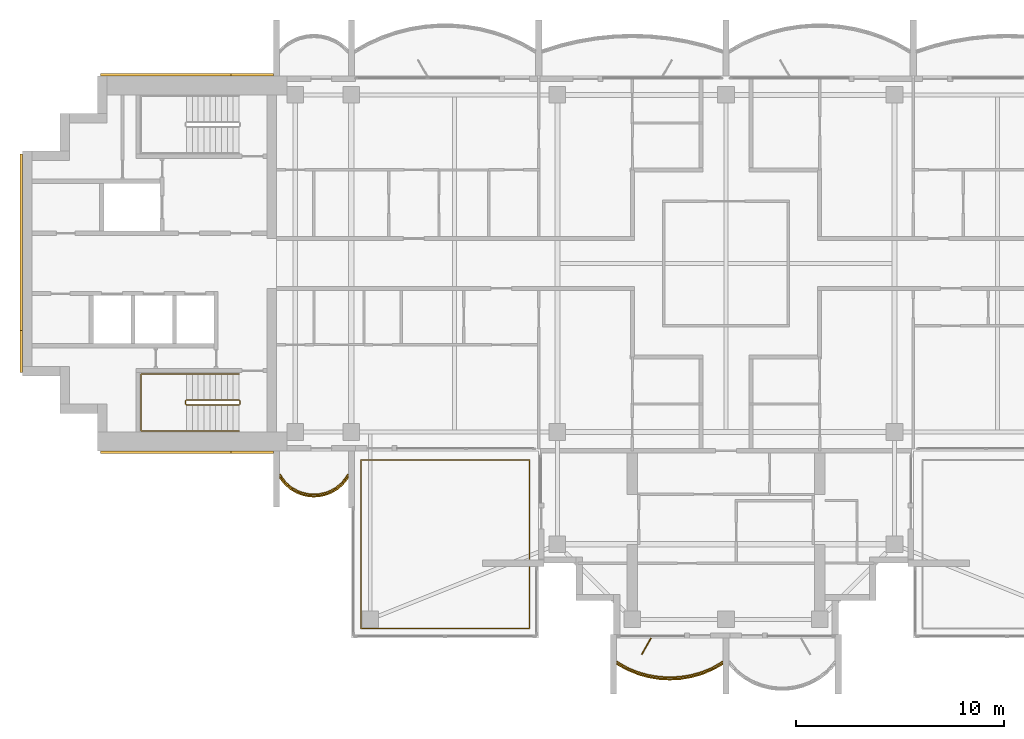
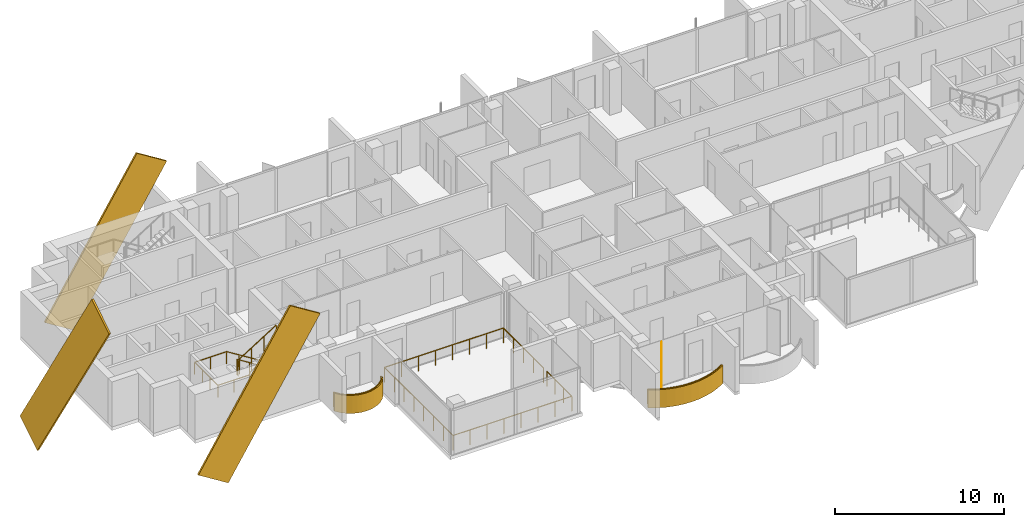
# One storey, part 13 of 16: 5 coverings, 5 railings, 1 shading device.
"""IFC4 building model written with IfcOpenShell, lengths in metres."""

from ifc_helpers import new_model, si_unit, direction, frame, origin, origin_2d, place, context, subcontext, project, spatial, polyline, rectangle, outline, extrude, material, layer, layer_set, material_profile, profile_set, type_object, element, save


model = new_model("IFC4")

# Units and contexts
model_context = context("Model", 3, precision=1e-05, world=origin(), true_north=direction((0.0, 1.0)))
body_context = subcontext(model_context, "Body", "Model", "MODEL_VIEW")
ifc_project = project(units=[si_unit("LENGTHUNIT", "METRE"), si_unit("AREAUNIT", "SQUARE_METRE"), si_unit("VOLUMEUNIT", "CUBIC_METRE"), si_unit("PLANEANGLEUNIT", "RADIAN"), si_unit("MASSUNIT", "GRAM", prefix="KILO")], contexts=[model_context])

# Site, building, storey
site_placement = place(None, origin())
site = spatial("IfcSite", under=ifc_project, at=site_placement, CompositionType="ELEMENT")
building_placement = place(site_placement, origin())
building = spatial("IfcBuilding", under=site, at=building_placement, Name="Perihelion Cross Residences", CompositionType="ELEMENT")
storey_placement = place(building_placement, frame((0.0, 0.0, 239.5)))
storey = spatial("IfcBuildingStorey", under=building, at=storey_placement, Name="L60", CompositionType="ELEMENT", Elevation=239.5)

# Coverings
ifc_material_1 = material(Name="Bronze anodised aluminium", Category="aluminium")
ifc_layer_1 = layer(ifc_material_1, 0.070068359375)
ifc_layer_set_1 = layer_set([ifc_layer_1], Name="Balcony fascia 1300")
covering_type_1 = type_object("IfcCoveringType", Name="Balcony fascia 1300", PredefinedType="CLADDING", material=ifc_layer_set_1)
covering_1_placement = place(storey_placement, frame((0.0, 0.0, -0.199951171875)))
element("IfcCovering", 1, at=covering_1_placement, inside=storey, type_object=covering_type_1, Name="Fascia BF1 L60 west side south bay 1", PredefinedType="CLADDING", context=body_context, shape_type="SweptSolid", body=[
    extrude(outline(polyline([(-21.226318359375, -10.616455078125), (-20.94091796875, -10.86328125), (-20.655517578125, -11.031494140625), (-20.370361328125, -11.142578125), (-20.085205078125, -11.206298828125), (-19.800048828125, -11.22705078125), (-19.514892578125, -11.206298828125), (-19.229736328125, -11.142578125), (-18.9443359375, -11.031494140625), (-18.6591796875, -10.86328125), (-18.373779296875, -10.616455078125), (-18.14990234375, -10.31689453125), (-18.14990234375, -10.199951171875), (-18.425048828125, -10.568603515625), (-18.699951171875, -10.806396484375), (-18.97509765625, -10.96875), (-19.25, -11.07568359375), (-19.52490234375, -11.136962890625), (-19.800048828125, -11.156982421875), (-20.074951171875, -11.136962890625), (-20.35009765625, -11.07568359375), (-20.625, -10.96875), (-20.89990234375, -10.806396484375), (-21.175048828125, -10.568603515625), (-21.449951171875, -10.199951171875), (-21.449951171875, -10.31689453125), (-21.226318359375, -10.616455078125)])), origin(), (0.0, 0.0, 1.0), 1.300048828125),
])
covering_2_placement = place(storey_placement, frame((0.0, 0.0, -0.199951171875)))
element("IfcCovering", 2, at=covering_2_placement, inside=storey, type_object=covering_type_1, Name="Fascia BF1 L60 south tip south bay 1", PredefinedType="CLADDING", context=body_context, shape_type="SweptSolid", body=[
    extrude(outline(polyline([(-4.7705078125, -19.54833984375), (-4.2529296875, -19.7607421875), (-3.735107421875, -19.906494140625), (-3.217529296875, -19.991943359375), (-2.699951171875, -20.02001953125), (-2.182373046875, -19.991943359375), (-1.664794921875, -19.906494140625), (-1.147216796875, -19.7607421875), (-0.629638671875, -19.54833984375), (-0.14990234375, -19.2802734375), (-0.14990234375, -19.199951171875), (-0.659912109375, -19.4853515625), (-1.169921875, -19.694580078125), (-1.679931640625, -19.838134765625), (-2.18994140625, -19.92236328125), (-2.699951171875, -19.949951171875), (-3.2099609375, -19.92236328125), (-3.719970703125, -19.838134765625), (-4.22998046875, -19.694580078125), (-4.739990234375, -19.4853515625), (-5.25, -19.199951171875), (-5.25, -19.2802734375), (-4.7705078125, -19.54833984375)])), origin(), (0.0, 0.0, 1.0), 1.300048828125),
])

# Railings
ifc_material_2 = material(Name="Bronze anodised aluminium", Category="aluminium")
railing_type_1 = type_object("IfcRailingType", Name="Balcony guard 1100", PredefinedType="GUARDRAIL", material=ifc_material_2)
railing_1_placement = place(storey_placement, frame((-21.425048828125, -10.139892578125, 0.0)))
element("IfcRailing", 3, at=railing_1_placement, inside=storey, type_object=railing_type_1, Name="Guard GU1 L60 west side south bay 1 balcony", PredefinedType="GUARDRAIL", context=body_context, shape_type="SweptSolid", body=[
    extrude(rectangle(XDim=0.048095703125, YDim=0.048095703125, at=origin_2d()), frame((0.0, 0.0, 1.076171875), z_axis=(0.561260132269, -0.827639452857, 0.0), x_axis=(0.827639452857, 0.561260132269, 0.0)), (0.0, 0.0, 1.0), 0.4453125),
    extrude(rectangle(XDim=0.048095703125, YDim=0.048095703125, at=origin_2d()), frame((0.25, -0.36865234375, 1.076171875), z_axis=(0.756596535164, -0.653882009982, 0.0), x_axis=(0.653882009982, 0.756596535164, 0.0)), (0.0, 0.0, 1.0), 0.36376953125),
    extrude(rectangle(XDim=0.048095703125, YDim=0.048095703125, at=origin_2d()), frame((0.525146484375, -0.6064453125, 1.076171875), z_axis=(0.861048292884, -0.508523192511, 0.0), x_axis=(0.508523192511, 0.861048292884, 0.0)), (0.0, 0.0, 1.0), 0.3193359375),
    extrude(rectangle(XDim=0.048095703125, YDim=0.048095703125, at=origin_2d()), frame((0.800048828125, -0.768798828125, 1.076171875), z_axis=(0.931973602183, -0.362526143656, 0.0), x_axis=(0.362526143656, 0.931973602183, 0.0)), (0.0, 0.0, 1.0), 0.294921875),
    extrude(rectangle(XDim=0.048095703125, YDim=0.048095703125, at=origin_2d()), frame((1.074951171875, -0.875732421875, 1.076171875), z_axis=(0.976085059389, -0.21738895289, 0.0), x_axis=(0.21738895289, 0.976085059389, 0.0)), (0.0, 0.0, 1.0), 0.281982421875),
    extrude(rectangle(XDim=0.048095703125, YDim=0.048095703125, at=origin_2d()), frame((1.35009765625, -0.93701171875, 1.076171875), z_axis=(0.997358821833, -0.072631814734, 0.0), x_axis=(0.072631814734, 0.997358821833, 0.0)), (0.0, 0.0, 1.0), 0.275634765625),
    extrude(rectangle(XDim=0.048095703125, YDim=0.048095703125, at=origin_2d()), frame((1.625, -0.95703125, 1.076171875), z_axis=(0.997363488337, 0.072567707226, 0.0), x_axis=(-0.072567707226, 0.997363488337, 0.0)), (0.0, 0.0, 1.0), 0.27587890625),
    extrude(rectangle(XDim=0.048095703125, YDim=0.048095703125, at=origin_2d()), frame((1.900146484375, -0.93701171875, 1.076171875), z_axis=(0.976044077717, 0.217572880557, 0.0), x_axis=(-0.217572880557, 0.976044077717, 0.0)), (0.0, 0.0, 1.0), 0.28173828125),
    extrude(rectangle(XDim=0.048095703125, YDim=0.048095703125, at=origin_2d()), frame((2.175048828125, -0.875732421875, 1.076171875), z_axis=(0.931973602183, 0.362526143656, 0.0), x_axis=(-0.362526143656, 0.931973602183, 0.0)), (0.0, 0.0, 1.0), 0.294921875),
    extrude(rectangle(XDim=0.048095703125, YDim=0.048095703125, at=origin_2d()), frame((2.449951171875, -0.768798828125, 1.076171875), z_axis=(0.861245845072, 0.508188542123, 0.0), x_axis=(-0.508188542123, 0.861245845072, 0.0)), (0.0, 0.0, 1.0), 0.319580078125),
    extrude(rectangle(XDim=0.048095703125, YDim=0.048095703125, at=origin_2d()), frame((2.72509765625, -0.6064453125, 1.076171875), z_axis=(0.756309278473, 0.654214242658, 0.0), x_axis=(-0.654214242658, 0.756309278473, 0.0)), (0.0, 0.0, 1.0), 0.363525390625),
    extrude(rectangle(XDim=0.048095703125, YDim=0.048095703125, at=origin_2d()), frame((3.0, -0.36865234375, 1.076171875), z_axis=(0.561260132269, 0.827639452857, 0.0), x_axis=(-0.827639452857, 0.561260132269, 0.0)), (0.0, 0.0, 1.0), 0.4453125),
    extrude(rectangle(XDim=0.0419921875, YDim=0.0419921875, at=origin_2d()), origin(), (0.0, 0.0, 1.0), 1.052001953125),
    extrude(rectangle(XDim=0.0419921875, YDim=0.0419921875, at=origin_2d()), frame((0.25, -0.36865234375, 0.0)), (0.0, 0.0, 1.0), 1.052001953125),
    extrude(rectangle(XDim=0.0419921875, YDim=0.0419921875, at=origin_2d()), frame((0.525146484375, -0.6064453125, 0.0)), (0.0, 0.0, 1.0), 1.052001953125),
    extrude(rectangle(XDim=0.0419921875, YDim=0.0419921875, at=origin_2d()), frame((0.800048828125, -0.768798828125, 0.0)), (0.0, 0.0, 1.0), 1.052001953125),
    extrude(rectangle(XDim=0.0419921875, YDim=0.0419921875, at=origin_2d()), frame((1.074951171875, -0.875732421875, 0.0)), (0.0, 0.0, 1.0), 1.052001953125),
    extrude(rectangle(XDim=0.0419921875, YDim=0.0419921875, at=origin_2d()), frame((1.35009765625, -0.93701171875, 0.0)), (0.0, 0.0, 1.0), 1.052001953125),
    extrude(rectangle(XDim=0.0419921875, YDim=0.0419921875, at=origin_2d()), frame((1.625, -0.95703125, 0.0)), (0.0, 0.0, 1.0), 1.052001953125),
    extrude(rectangle(XDim=0.0419921875, YDim=0.0419921875, at=origin_2d()), frame((1.900146484375, -0.93701171875, 0.0)), (0.0, 0.0, 1.0), 1.052001953125),
    extrude(rectangle(XDim=0.0419921875, YDim=0.0419921875, at=origin_2d()), frame((2.175048828125, -0.875732421875, 0.0)), (0.0, 0.0, 1.0), 1.052001953125),
    extrude(rectangle(XDim=0.0419921875, YDim=0.0419921875, at=origin_2d()), frame((2.449951171875, -0.768798828125, 0.0)), (0.0, 0.0, 1.0), 1.052001953125),
    extrude(rectangle(XDim=0.0419921875, YDim=0.0419921875, at=origin_2d()), frame((2.72509765625, -0.6064453125, 0.0)), (0.0, 0.0, 1.0), 1.052001953125),
    extrude(rectangle(XDim=0.0419921875, YDim=0.0419921875, at=origin_2d()), frame((3.0, -0.36865234375, 0.0)), (0.0, 0.0, 1.0), 1.052001953125),
    extrude(rectangle(XDim=0.0419921875, YDim=0.0419921875, at=origin_2d()), frame((3.25, 0.0, 0.0)), (0.0, 0.0, 1.0), 1.052001953125),
])
railing_2_placement = place(storey_placement, frame((-5.22509765625, -19.139892578125, 0.0)))
element("IfcRailing", 4, at=railing_2_placement, inside=storey, type_object=railing_type_1, Name="Guard GU1 L60 south tip south bay 1 balcony", PredefinedType="GUARDRAIL", context=body_context, shape_type="SweptSolid", body=[
    extrude(rectangle(XDim=0.048095703125, YDim=0.048095703125, at=origin_2d()), frame((0.0, 0.0, 1.076171875), z_axis=(0.861900760591, -0.507076995033, 0.0), x_axis=(0.507076995033, 0.861900760591, 0.0)), (0.0, 0.0, 1.0), 0.562744140625),
    extrude(rectangle(XDim=0.048095703125, YDim=0.048095703125, at=origin_2d()), frame((0.485107421875, -0.285400390625, 1.076171875), z_axis=(0.925172605972, -0.379546636342, 0.0), x_axis=(0.379546636342, 0.925172605972, 0.0)), (0.0, 0.0, 1.0), 0.55126953125),
    extrude(rectangle(XDim=0.048095703125, YDim=0.048095703125, at=origin_2d()), frame((0.9951171875, -0.49462890625, 1.076171875), z_axis=(0.962474364231, -0.271372618732, 0.0), x_axis=(0.271372618732, 0.962474364231, 0.0)), (0.0, 0.0, 1.0), 0.52978515625),
    extrude(rectangle(XDim=0.048095703125, YDim=0.048095703125, at=origin_2d()), frame((1.505126953125, -0.638427734375, 1.076171875), z_axis=(0.986711211531, -0.162483799314, 0.0), x_axis=(0.162483799314, 0.986711211531, 0.0)), (0.0, 0.0, 1.0), 0.516845703125),
    extrude(rectangle(XDim=0.048095703125, YDim=0.048095703125, at=origin_2d()), frame((2.01513671875, -0.722412109375, 1.076171875), z_axis=(0.998540183677, -0.05401390175, 0.0), x_axis=(0.05401390175, 0.998540183677, 0.0)), (0.0, 0.0, 1.0), 0.5107421875),
    extrude(rectangle(XDim=0.048095703125, YDim=0.048095703125, at=origin_2d()), frame((2.525146484375, -0.75, 1.076171875), z_axis=(0.998540183677, 0.05401390175, 0.0), x_axis=(-0.05401390175, 0.998540183677, 0.0)), (0.0, 0.0, 1.0), 0.5107421875),
    extrude(rectangle(XDim=0.048095703125, YDim=0.048095703125, at=origin_2d()), frame((3.03515625, -0.722412109375, 1.076171875), z_axis=(0.986711211531, 0.162483799314, 0.0), x_axis=(-0.162483799314, 0.986711211531, 0.0)), (0.0, 0.0, 1.0), 0.516845703125),
    extrude(rectangle(XDim=0.048095703125, YDim=0.048095703125, at=origin_2d()), frame((3.545166015625, -0.638427734375, 1.076171875), z_axis=(0.962474364231, 0.271372618732, 0.0), x_axis=(-0.271372618732, 0.962474364231, 0.0)), (0.0, 0.0, 1.0), 0.52978515625),
    extrude(rectangle(XDim=0.048095703125, YDim=0.048095703125, at=origin_2d()), frame((4.05517578125, -0.49462890625, 1.076171875), z_axis=(0.925172605972, 0.379546636342, 0.0), x_axis=(-0.379546636342, 0.925172605972, 0.0)), (0.0, 0.0, 1.0), 0.55126953125),
    extrude(rectangle(XDim=0.048095703125, YDim=0.048095703125, at=origin_2d()), frame((4.565185546875, -0.285400390625, 1.076171875), z_axis=(0.861789164031, 0.507266632806, 0.0), x_axis=(-0.507266632806, 0.861789164031, 0.0)), (0.0, 0.0, 1.0), 0.562744140625),
    extrude(rectangle(XDim=0.0419921875, YDim=0.0419921875, at=origin_2d()), origin(), (0.0, 0.0, 1.0), 1.052001953125),
    extrude(rectangle(XDim=0.0419921875, YDim=0.0419921875, at=origin_2d()), frame((0.485107421875, -0.285400390625, 0.0)), (0.0, 0.0, 1.0), 1.052001953125),
    extrude(rectangle(XDim=0.0419921875, YDim=0.0419921875, at=origin_2d()), frame((0.9951171875, -0.49462890625, 0.0)), (0.0, 0.0, 1.0), 1.052001953125),
    extrude(rectangle(XDim=0.0419921875, YDim=0.0419921875, at=origin_2d()), frame((1.505126953125, -0.638427734375, 0.0)), (0.0, 0.0, 1.0), 1.052001953125),
    extrude(rectangle(XDim=0.0419921875, YDim=0.0419921875, at=origin_2d()), frame((2.01513671875, -0.722412109375, 0.0)), (0.0, 0.0, 1.0), 1.052001953125),
    extrude(rectangle(XDim=0.0419921875, YDim=0.0419921875, at=origin_2d()), frame((2.525146484375, -0.75, 0.0)), (0.0, 0.0, 1.0), 1.052001953125),
    extrude(rectangle(XDim=0.0419921875, YDim=0.0419921875, at=origin_2d()), frame((3.03515625, -0.722412109375, 0.0)), (0.0, 0.0, 1.0), 1.052001953125),
    extrude(rectangle(XDim=0.0419921875, YDim=0.0419921875, at=origin_2d()), frame((3.545166015625, -0.638427734375, 0.0)), (0.0, 0.0, 1.0), 1.052001953125),
    extrude(rectangle(XDim=0.0419921875, YDim=0.0419921875, at=origin_2d()), frame((4.05517578125, -0.49462890625, 0.0)), (0.0, 0.0, 1.0), 1.052001953125),
    extrude(rectangle(XDim=0.0419921875, YDim=0.0419921875, at=origin_2d()), frame((4.565185546875, -0.285400390625, 0.0)), (0.0, 0.0, 1.0), 1.052001953125),
    extrude(rectangle(XDim=0.0419921875, YDim=0.0419921875, at=origin_2d()), frame((5.050048828125, 0.0, 0.0)), (0.0, 0.0, 1.0), 1.052001953125),
])
railing_3_placement = place(storey_placement, frame((-9.449951171875, -14.590087890625, 0.0)))
element("IfcRailing", 5, at=railing_3_placement, inside=storey, type_object=railing_type_1, Name="Guard GU1 L60 pocket south-west 1", PredefinedType="GUARDRAIL", context=body_context, shape_type="SweptSolid", body=[
    extrude(rectangle(XDim=0.048095703125, YDim=0.048095703125, at=origin_2d()), frame((0.0, 0.0, 1.076171875), z_axis=(0.0, -1.0, 0.0), x_axis=(1.0, 0.0, 0.0)), (0.0, 0.0, 1.0), 2.9599609375),
    extrude(rectangle(XDim=0.048095703125, YDim=0.048095703125, at=origin_2d()), frame((0.0, -2.9599609375, 1.076171875), z_axis=(-1.0, 0.0, 0.0), x_axis=(0.0, -1.0, 0.0)), (0.0, 0.0, 1.0), 8.10009765625),
    extrude(rectangle(XDim=0.048095703125, YDim=0.048095703125, at=origin_2d()), frame((-8.10009765625, -2.9599609375, 1.076171875), z_axis=(0.0, 1.0, 0.0), x_axis=(-1.0, 0.0, 0.0)), (0.0, 0.0, 1.0), 8.10009765625),
    extrude(rectangle(XDim=0.048095703125, YDim=0.048095703125, at=origin_2d()), frame((-8.10009765625, 5.14013671875, 1.076171875), z_axis=(1.0, 0.0, 0.0), x_axis=(0.0, 1.0, 0.0)), (0.0, 0.0, 1.0), 8.10009765625),
    extrude(rectangle(XDim=0.048095703125, YDim=0.048095703125, at=origin_2d()), frame((0.0, 5.14013671875, 1.076171875), z_axis=(0.0, -1.0, 0.0), x_axis=(1.0, 0.0, 0.0)), (0.0, 0.0, 1.0), 4.760009765625),
    extrude(rectangle(XDim=0.0419921875, YDim=0.0419921875, at=origin_2d()), origin(), (0.0, 0.0, 1.0), 1.052001953125),
    extrude(rectangle(XDim=0.0419921875, YDim=0.0419921875, at=origin_2d()), frame((0.0, -0.986572265625, 0.0)), (0.0, 0.0, 1.0), 1.052001953125),
    extrude(rectangle(XDim=0.0419921875, YDim=0.0419921875, at=origin_2d()), frame((0.0, -1.973388671875, 0.0)), (0.0, 0.0, 1.0), 1.052001953125),
    extrude(rectangle(XDim=0.0419921875, YDim=0.0419921875, at=origin_2d()), frame((0.0, -2.9599609375, 0.0)), (0.0, 0.0, 1.0), 1.052001953125),
    extrude(rectangle(XDim=0.0419921875, YDim=0.0419921875, at=origin_2d()), frame((-1.1572265625, -2.9599609375, 0.0)), (0.0, 0.0, 1.0), 1.052001953125),
    extrude(rectangle(XDim=0.0419921875, YDim=0.0419921875, at=origin_2d()), frame((-2.314208984375, -2.9599609375, 0.0)), (0.0, 0.0, 1.0), 1.052001953125),
    extrude(rectangle(XDim=0.0419921875, YDim=0.0419921875, at=origin_2d()), frame((-3.471435546875, -2.9599609375, 0.0)), (0.0, 0.0, 1.0), 1.052001953125),
    extrude(rectangle(XDim=0.0419921875, YDim=0.0419921875, at=origin_2d()), frame((-4.628662109375, -2.9599609375, 0.0)), (0.0, 0.0, 1.0), 1.052001953125),
    extrude(rectangle(XDim=0.0419921875, YDim=0.0419921875, at=origin_2d()), frame((-5.785888671875, -2.9599609375, 0.0)), (0.0, 0.0, 1.0), 1.052001953125),
    extrude(rectangle(XDim=0.0419921875, YDim=0.0419921875, at=origin_2d()), frame((-6.94287109375, -2.9599609375, 0.0)), (0.0, 0.0, 1.0), 1.052001953125),
    extrude(rectangle(XDim=0.0419921875, YDim=0.0419921875, at=origin_2d()), frame((-8.10009765625, -2.9599609375, 0.0)), (0.0, 0.0, 1.0), 1.052001953125),
    extrude(rectangle(XDim=0.0419921875, YDim=0.0419921875, at=origin_2d()), frame((-8.10009765625, -1.802734375, 0.0)), (0.0, 0.0, 1.0), 1.052001953125),
    extrude(rectangle(XDim=0.0419921875, YDim=0.0419921875, at=origin_2d()), frame((-8.10009765625, -0.645751953125, 0.0)), (0.0, 0.0, 1.0), 1.052001953125),
    extrude(rectangle(XDim=0.0419921875, YDim=0.0419921875, at=origin_2d()), frame((-8.10009765625, 0.511474609375, 0.0)), (0.0, 0.0, 1.0), 1.052001953125),
    extrude(rectangle(XDim=0.0419921875, YDim=0.0419921875, at=origin_2d()), frame((-8.10009765625, 1.668701171875, 0.0)), (0.0, 0.0, 1.0), 1.052001953125),
    extrude(rectangle(XDim=0.0419921875, YDim=0.0419921875, at=origin_2d()), frame((-8.10009765625, 2.825927734375, 0.0)), (0.0, 0.0, 1.0), 1.052001953125),
    extrude(rectangle(XDim=0.0419921875, YDim=0.0419921875, at=origin_2d()), frame((-8.10009765625, 3.98291015625, 0.0)), (0.0, 0.0, 1.0), 1.052001953125),
    extrude(rectangle(XDim=0.0419921875, YDim=0.0419921875, at=origin_2d()), frame((-8.10009765625, 5.14013671875, 0.0)), (0.0, 0.0, 1.0), 1.052001953125),
    extrude(rectangle(XDim=0.0419921875, YDim=0.0419921875, at=origin_2d()), frame((-6.94287109375, 5.14013671875, 0.0)), (0.0, 0.0, 1.0), 1.052001953125),
    extrude(rectangle(XDim=0.0419921875, YDim=0.0419921875, at=origin_2d()), frame((-5.785888671875, 5.14013671875, 0.0)), (0.0, 0.0, 1.0), 1.052001953125),
    extrude(rectangle(XDim=0.0419921875, YDim=0.0419921875, at=origin_2d()), frame((-4.628662109375, 5.14013671875, 0.0)), (0.0, 0.0, 1.0), 1.052001953125),
    extrude(rectangle(XDim=0.0419921875, YDim=0.0419921875, at=origin_2d()), frame((-3.471435546875, 5.14013671875, 0.0)), (0.0, 0.0, 1.0), 1.052001953125),
    extrude(rectangle(XDim=0.0419921875, YDim=0.0419921875, at=origin_2d()), frame((-2.314208984375, 5.14013671875, 0.0)), (0.0, 0.0, 1.0), 1.052001953125),
    extrude(rectangle(XDim=0.0419921875, YDim=0.0419921875, at=origin_2d()), frame((-1.1572265625, 5.14013671875, 0.0)), (0.0, 0.0, 1.0), 1.052001953125),
    extrude(rectangle(XDim=0.0419921875, YDim=0.0419921875, at=origin_2d()), frame((0.0, 5.14013671875, 0.0)), (0.0, 0.0, 1.0), 1.052001953125),
    extrude(rectangle(XDim=0.0419921875, YDim=0.0419921875, at=origin_2d()), frame((0.0, 3.9501953125, 0.0)), (0.0, 0.0, 1.0), 1.052001953125),
    extrude(rectangle(XDim=0.0419921875, YDim=0.0419921875, at=origin_2d()), frame((0.0, 2.76025390625, 0.0)), (0.0, 0.0, 1.0), 1.052001953125),
    extrude(rectangle(XDim=0.0419921875, YDim=0.0419921875, at=origin_2d()), frame((0.0, 1.570068359375, 0.0)), (0.0, 0.0, 1.0), 1.052001953125),
    extrude(rectangle(XDim=0.0419921875, YDim=0.0419921875, at=origin_2d()), frame((0.0, 0.380126953125, 0.0)), (0.0, 0.0, 1.0), 1.052001953125),
])

# Coverings
ifc_material_3 = material(Name="Bronze anodised aluminium", Category="aluminium")
ifc_material_profile = material_profile(ifc_material_3, rectangle(XDim=0.125, YDim=2.39990234375, at=origin_2d()), Name="Bronze cladding band 2400")
ifc_profile_set = profile_set([ifc_material_profile], Name="Bronze anodised aluminium")
covering_type_2 = type_object("IfcCoveringType", Name="Bronze cladding band 2400", PredefinedType="CLADDING", material=ifc_profile_set)
for number, where, z_axis, x_axis, name in (
    (6, (-29.0322265625, 9.0625, -3.15478515625), (0.529915403603, 0.0, 0.848050508534), (0.0, 1.0, 0.0), "Core cladding band, west core"),
    (7, (-29.0322265625, -9.0625, -3.15478515625), (0.529915403603, 0.0, 0.848050508534), (0.0, 1.0, 0.0), "Core cladding band, west core"),
):
    element("IfcCovering", number, at=place(storey_placement, frame(where, z_axis=z_axis, x_axis=x_axis)), inside=storey, type_object=covering_type_2, Name=name, PredefinedType="CLADDING", context=body_context, shape_type="SweptSolid", body=[
        extrude(rectangle(XDim=0.125, YDim=2.39990234375, at=origin_2d()), origin(), (0.0, 0.0, 1.0), 11.822021484375),
    ])
covering_3_placement = place(storey_placement, frame((-33.862548828125, 4.232421875, -6.234619140625), z_axis=(0.0, -0.529924750763, 0.848044667767), x_axis=(1.0, 0.0, 0.0)))
element("IfcCovering", 8, at=covering_3_placement, inside=storey, type_object=covering_type_2, Name="Core cladding band, west core", PredefinedType="CLADDING", context=body_context, shape_type="SweptSolid", body=[
    extrude(rectangle(XDim=0.125, YDim=2.39990234375, at=origin_2d()), origin(), (0.0, 0.0, 1.0), 15.9736328125),
])

# Shading device
ifc_material_4 = material(Name="Bronze anodised aluminium", Category="aluminium")
ifc_layer_2 = layer(ifc_material_4, 0.050048828125)
ifc_layer_set_2 = layer_set([ifc_layer_2], Name="Bronze fin 900")
shading_device_type = type_object("IfcShadingDeviceType", Name="Bronze fin 900", PredefinedType="USERDEFINED", material=ifc_layer_set_2)
shading_device_placement = place(storey_placement, frame((-3.824951171875, -18.3896484375, 0.0), z_axis=(0.0, 0.0, 1.0), x_axis=(-0.5, -0.866025403784, 0.0)))
element("IfcShadingDevice", 9, at=shading_device_placement, inside=storey, type_object=shading_device_type, Name="Fin FN1 L60 south tip south bay 1", ObjectType="FIN", PredefinedType="USERDEFINED", context=body_context, shape_type="SweptSolid", body=[
    extrude(rectangle(XDim=0.89990234375, YDim=0.050048828125, at=origin_2d()), origin(), (0.0, 0.0, 1.0), 3.25),
])

# Railings
ifc_material_5 = material(Name="Stainless steel", Category="steel")
railing_type_2 = type_object("IfcRailingType", Name="Stair guard 1100", PredefinedType="GUARDRAIL", material=ifc_material_5)
railing_4_placement = place(storey_placement, frame((-23.35009765625, -6.75, 0.0)))
element("IfcRailing", 10, at=railing_4_placement, inside=storey, type_object=railing_type_2, Name="L60 ST-W2 stair guard 1", PredefinedType="GUARDRAIL", context=body_context, shape_type="SweptSolid", body=[
    extrude(rectangle(XDim=0.048095703125, YDim=0.048095703125, at=origin_2d()), frame((0.0, 0.0, 1.076171875), z_axis=(0.0, 1.0, 0.0), x_axis=(-1.0, 0.0, 0.0)), (0.0, 0.0, 1.0), 0.14990234375),
    extrude(rectangle(XDim=0.048095703125, YDim=0.048095703125, at=origin_2d()), frame((0.0, 0.14990234375, 1.076171875), z_axis=(-0.263862480399, 0.265155923931, 0.927399011991), x_axis=(-0.708833529934, -0.705375805398, 0.0)), (0.0, 0.0, 1.0), 0.188720703125),
    extrude(rectangle(XDim=0.048095703125, YDim=0.048095703125, at=origin_2d()), frame((-0.0498046875, 0.199951171875, 1.2509765625), z_axis=(-0.848007534815, 0.0, 0.529984170421), x_axis=(0.0, -1.0, 0.0)), (0.0, 0.0, 1.0), 2.9716796875),
    extrude(rectangle(XDim=0.048095703125, YDim=0.048095703125, at=origin_2d()), frame((-2.56982421875, 0.199951171875, 2.826171875), z_axis=(-0.707106781187, -0.707106781187, 0.0), x_axis=(0.707106781187, -0.707106781187, 0.0)), (0.0, 0.0, 1.0), 0.07080078125),
    extrude(rectangle(XDim=0.048095703125, YDim=0.048095703125, at=origin_2d()), frame((-2.619873046875, 0.14990234375, 2.826171875), z_axis=(0.0, -1.0, 0.0), x_axis=(1.0, 0.0, 0.0)), (0.0, 0.0, 1.0), 0.14990234375),
    extrude(rectangle(XDim=0.048095703125, YDim=0.048095703125, at=origin_2d()), frame((-2.619873046875, 0.0, 2.826171875), z_axis=(0.265065253269, -0.265065253269, 0.927081885822), x_axis=(0.707106781187, 0.707106781187, 0.0)), (0.0, 0.0, 1.0), 0.188720703125),
    extrude(rectangle(XDim=0.048095703125, YDim=0.048095703125, at=origin_2d()), frame((-2.56982421875, -0.050048828125, 3.0009765625), z_axis=(0.848007534815, 0.0, 0.529984170421), x_axis=(0.0, 1.0, 0.0)), (0.0, 0.0, 1.0), 2.9716796875),
    extrude(rectangle(XDim=0.0419921875, YDim=0.0419921875, at=origin_2d()), origin(), (0.0, 0.0, 1.0), 1.052001953125),
    extrude(rectangle(XDim=0.0419921875, YDim=0.0419921875, at=origin_2d()), frame((0.0, 0.14990234375, 0.0)), (0.0, 0.0, 1.0), 1.052001953125),
    extrude(rectangle(XDim=0.0419921875, YDim=0.0419921875, at=origin_2d()), frame((-0.0498046875, 0.199951171875, 0.175048828125)), (0.0, 0.0, 1.0), 1.052001953125),
    extrude(rectangle(XDim=0.0419921875, YDim=0.0419921875, at=origin_2d()), frame((-0.889892578125, 0.199951171875, 0.699951171875)), (0.0, 0.0, 1.0), 1.052001953125),
    extrude(rectangle(XDim=0.0419921875, YDim=0.0419921875, at=origin_2d()), frame((-1.729736328125, 0.199951171875, 1.22509765625)), (0.0, 0.0, 1.0), 1.052001953125),
    extrude(rectangle(XDim=0.0419921875, YDim=0.0419921875, at=origin_2d()), frame((-2.56982421875, 0.199951171875, 1.75)), (0.0, 0.0, 1.0), 1.052001953125),
    extrude(rectangle(XDim=0.0419921875, YDim=0.0419921875, at=origin_2d()), frame((-2.619873046875, 0.14990234375, 1.75)), (0.0, 0.0, 1.0), 1.052001953125),
    extrude(rectangle(XDim=0.0419921875, YDim=0.0419921875, at=origin_2d()), frame((-2.619873046875, 0.0, 1.75)), (0.0, 0.0, 1.0), 1.052001953125),
    extrude(rectangle(XDim=0.0419921875, YDim=0.0419921875, at=origin_2d()), frame((-2.56982421875, -0.050048828125, 1.925048828125)), (0.0, 0.0, 1.0), 1.052001953125),
    extrude(rectangle(XDim=0.0419921875, YDim=0.0419921875, at=origin_2d()), frame((-1.729736328125, -0.050048828125, 2.449951171875)), (0.0, 0.0, 1.0), 1.052001953125),
    extrude(rectangle(XDim=0.0419921875, YDim=0.0419921875, at=origin_2d()), frame((-0.889892578125, -0.050048828125, 2.97509765625)), (0.0, 0.0, 1.0), 1.052001953125),
    extrude(rectangle(XDim=0.0419921875, YDim=0.0419921875, at=origin_2d()), frame((-0.0498046875, -0.050048828125, 3.5)), (0.0, 0.0, 1.0), 1.052001953125),
])
ifc_material_6 = material(Name="Stainless steel", Category="steel")
railing_type_3 = type_object("IfcRailingType", Name="Stair handrail 900", PredefinedType="HANDRAIL", material=ifc_material_6)
railing_5_placement = place(storey_placement, frame((-23.39990234375, -5.300048828125, 0.175048828125)))
element("IfcRailing", 11, at=railing_5_placement, inside=storey, type_object=railing_type_3, Name="L60 ST-W2 stair handrail 1", PredefinedType="HANDRAIL", context=body_context, shape_type="SweptSolid", body=[
    extrude(rectangle(XDim=0.048095703125, YDim=0.048095703125, at=origin_2d()), frame((0.0, 0.0, 0.8759765625), z_axis=(-0.848007534815, 0.0, 0.529984170421), x_axis=(0.0, -1.0, 0.0)), (0.0, 0.0, 1.0), 2.9716796875),
    extrude(rectangle(XDim=0.048095703125, YDim=0.048095703125, at=origin_2d()), frame((-2.52001953125, 0.0, 2.45068359375), z_axis=(-1.0, 0.0, 0.0), x_axis=(0.0, -1.0, 0.0)), (0.0, 0.0, 1.0), 2.18017578125),
    extrude(rectangle(XDim=0.048095703125, YDim=0.048095703125, at=origin_2d()), frame((-4.7001953125, 0.0, 2.45068359375), z_axis=(0.0, -1.0, 0.0), x_axis=(1.0, 0.0, 0.0)), (0.0, 0.0, 1.0), 2.75),
    extrude(rectangle(XDim=0.048095703125, YDim=0.048095703125, at=origin_2d()), frame((-4.7001953125, -2.75, 2.45068359375), z_axis=(1.0, 0.0, 0.0), x_axis=(0.0, 1.0, 0.0)), (0.0, 0.0, 1.0), 2.18017578125),
    extrude(rectangle(XDim=0.048095703125, YDim=0.048095703125, at=origin_2d()), frame((-2.52001953125, -2.75, 2.45068359375), z_axis=(0.0, 0.0, 1.0), x_axis=(1.0, 0.0, 0.0)), (0.0, 0.0, 1.0), 0.175048828125),
    extrude(rectangle(XDim=0.048095703125, YDim=0.048095703125, at=origin_2d()), frame((-2.52001953125, -2.75, 2.6259765625), z_axis=(0.848007534815, 0.0, 0.529984170421), x_axis=(0.0, 1.0, 0.0)), (0.0, 0.0, 1.0), 2.9716796875),
    extrude(rectangle(XDim=0.0419921875, YDim=0.0419921875, at=origin_2d()), origin(), (0.0, 0.0, 1.0), 0.851806640625),
    extrude(rectangle(XDim=0.0419921875, YDim=0.0419921875, at=origin_2d()), frame((-0.840087890625, 0.0, 0.52490234375)), (0.0, 0.0, 1.0), 0.851806640625),
    extrude(rectangle(XDim=0.0419921875, YDim=0.0419921875, at=origin_2d()), frame((-1.679931640625, 0.0, 1.050048828125)), (0.0, 0.0, 1.0), 0.851806640625),
    extrude(rectangle(XDim=0.0419921875, YDim=0.0419921875, at=origin_2d()), frame((-2.52001953125, 0.0, 1.574951171875)), (0.0, 0.0, 1.0), 0.851806640625),
    extrude(rectangle(XDim=0.0419921875, YDim=0.0419921875, at=origin_2d()), frame((-3.610107421875, 0.0, 1.574951171875)), (0.0, 0.0, 1.0), 0.851806640625),
    extrude(rectangle(XDim=0.0419921875, YDim=0.0419921875, at=origin_2d()), frame((-4.7001953125, 0.0, 1.574951171875)), (0.0, 0.0, 1.0), 0.851806640625),
    extrude(rectangle(XDim=0.0419921875, YDim=0.0419921875, at=origin_2d()), frame((-4.7001953125, -0.916748046875, 1.574951171875)), (0.0, 0.0, 1.0), 0.851806640625),
    extrude(rectangle(XDim=0.0419921875, YDim=0.0419921875, at=origin_2d()), frame((-4.7001953125, -1.833251953125, 1.574951171875)), (0.0, 0.0, 1.0), 0.851806640625),
    extrude(rectangle(XDim=0.0419921875, YDim=0.0419921875, at=origin_2d()), frame((-4.7001953125, -2.75, 1.574951171875)), (0.0, 0.0, 1.0), 0.851806640625),
    extrude(rectangle(XDim=0.0419921875, YDim=0.0419921875, at=origin_2d()), frame((-3.610107421875, -2.75, 1.574951171875)), (0.0, 0.0, 1.0), 0.851806640625),
    extrude(rectangle(XDim=0.0419921875, YDim=0.0419921875, at=origin_2d()), frame((-2.52001953125, -2.75, 1.574951171875)), (0.0, 0.0, 1.0), 0.851806640625),
    extrude(rectangle(XDim=0.0419921875, YDim=0.0419921875, at=origin_2d()), frame((-2.52001953125, -2.75, 1.75)), (0.0, 0.0, 1.0), 0.851806640625),
    extrude(rectangle(XDim=0.0419921875, YDim=0.0419921875, at=origin_2d()), frame((-1.679931640625, -2.75, 2.27490234375)), (0.0, 0.0, 1.0), 0.851806640625),
    extrude(rectangle(XDim=0.0419921875, YDim=0.0419921875, at=origin_2d()), frame((-0.840087890625, -2.75, 2.800048828125)), (0.0, 0.0, 1.0), 0.851806640625),
    extrude(rectangle(XDim=0.0419921875, YDim=0.0419921875, at=origin_2d()), frame((0.0, -2.75, 3.324951171875)), (0.0, 0.0, 1.0), 0.851806640625),
])

save(model, "model.ifc")
